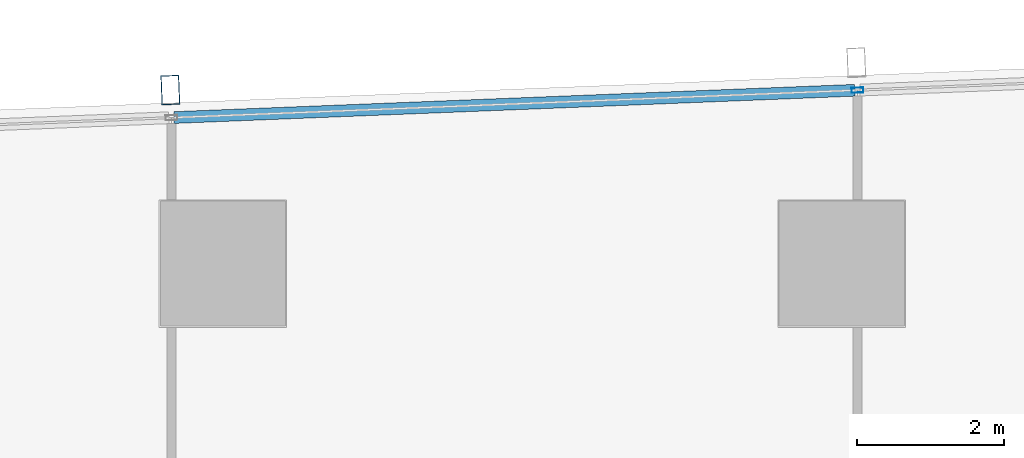
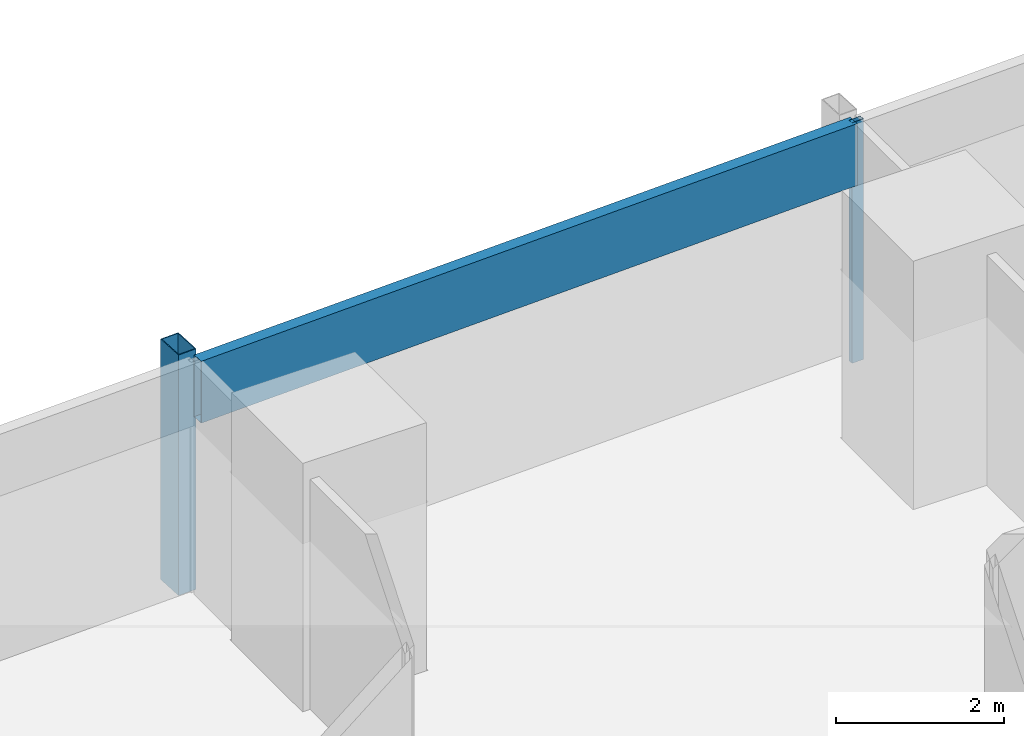
# One storey, part 16 of 40: 3 members, 1 element without a shape of its own.
"""IFC4 building model written with IfcOpenShell, lengths in metres."""

import ifcopenshell
import ifcopenshell.guid

model = None  # the IFC model being written
_history = None  # IfcOwnerHistory: only IFC2X3 demands one
_inside = {}  # id of a spatial element -> (the spatial element, [elements in it])
_under = {}  # id of a project, library or spatial element -> (it, [spatial elements below it])
_declared = {}  # id of a project -> (the project, [libraries it declares])
_typed = {}  # id of a type object -> (the type object, [elements of that type])
_made_of = {}  # id of a material, layer set ... -> (it, [elements and type objects made of it])


def new_model(schema):
    """Start an empty IFC model of exactly this schema.

    Asked for "IFC4X3", IfcOpenShell would pick the latest addendum, in which some entities
    have other attributes; the version numbers below select the first issue.
    IFC2X3 requires an IfcOwnerHistory on every rooted entity: one is made here for all.
    """
    global model, _history
    if schema == "IFC4X3":
        model = ifcopenshell.file(schema_version=(4, 3, 0, 0))
    else:
        model = ifcopenshell.file(schema=schema)
    _inside.clear()
    _under.clear()
    _declared.clear()
    _typed.clear()
    _made_of.clear()
    _history = None
    if model.schema == "IFC2X3":
        org = make("IfcOrganization", Name="unknown")
        user = make(
            "IfcPersonAndOrganization",
            ThePerson=make("IfcPerson", FamilyName="unknown"),
            TheOrganization=org,
        )
        app = make(
            "IfcApplication",
            ApplicationDeveloper=org,
            Version="unknown",
            ApplicationFullName="unknown",
            ApplicationIdentifier="unknown",
        )
        _history = make(
            "IfcOwnerHistory",
            OwningUser=user,
            OwningApplication=app,
            ChangeAction="ADDED",
            CreationDate=0,
        )
    return model


def make(cls, **values):
    """One entity of the class cls with the attributes given. An attribute that is None is left unset."""
    return model.create_entity(
        cls, **{name: value for name, value in values.items() if value is not None}
    )


def rooted(cls, **values):
    """An entity with a GlobalId (a new one), such as an element, a storey or a relation."""
    return make(cls, GlobalId=ifcopenshell.guid.new(), OwnerHistory=_history, **values)


def si_unit(unit_type, name, prefix=None):
    """IfcSIUnit, for example si_unit("LENGTHUNIT", "METRE", prefix="MILLI")."""
    return make("IfcSIUnit", UnitType=unit_type, Prefix=prefix, Name=name)


def assignment(units):
    """IfcUnitAssignment: the units of a project."""
    return None if units is None else make("IfcUnitAssignment", Units=units)


def point(xyz):
    """IfcCartesianPoint."""
    return None if xyz is None else make("IfcCartesianPoint", Coordinates=xyz)


def direction(xyz):
    """IfcDirection."""
    return None if xyz is None else make("IfcDirection", DirectionRatios=xyz)


def frame(location, z_axis=None, x_axis=None):
    """IfcAxis2Placement3D, a coordinate frame: its origin and axes. An axis left out is left unset."""
    return make(
        "IfcAxis2Placement3D",
        Location=point(location),
        Axis=direction(z_axis),
        RefDirection=direction(x_axis),
    )


def frame_2d(location, x_axis=None):
    """IfcAxis2Placement2D, a coordinate frame in the plane: its origin and x axis."""
    return make(
        "IfcAxis2Placement2D", Location=point(location), RefDirection=direction(x_axis)
    )


def origin():
    """The frame at (0, 0, 0) with its axes left unset."""
    return frame((0.0, 0.0, 0.0))


def origin_2d():
    """The frame at (0, 0) in the plane with its x axis left unset."""
    return frame_2d((0.0, 0.0))


def place(relative_to, where):
    """IfcLocalPlacement: puts the frame where relative to a parent placement (None: the world)."""
    return make(
        "IfcLocalPlacement", PlacementRelTo=relative_to, RelativePlacement=where
    )


def context(
    kind, dimensions, precision=None, world=None, true_north=None, identifier=None
):
    """IfcGeometricRepresentationContext, for example the 3D "Model" context."""
    return make(
        "IfcGeometricRepresentationContext",
        ContextIdentifier=identifier,
        ContextType=kind,
        CoordinateSpaceDimension=dimensions,
        Precision=precision,
        WorldCoordinateSystem=world,
        TrueNorth=true_north,
    )


def subcontext(parent, identifier, kind, view, scale=None):
    """IfcGeometricRepresentationSubContext, for example "Body" below "Model"."""
    return make(
        "IfcGeometricRepresentationSubContext",
        ContextIdentifier=identifier,
        ContextType=kind,
        ParentContext=parent,
        TargetScale=scale,
        TargetView=view,
    )


def project(units=None, contexts=None):
    """IfcProject with its units and contexts."""
    return rooted(
        "IfcProject",
        Name="project",
        RepresentationContexts=contexts,
        UnitsInContext=assignment(units),
    )


def spatial(cls, under=None, at=None, **own):
    """A site, building, storey or space (cls), placed at a placement, below another one or the project."""
    s = rooted(cls, ObjectPlacement=at, **own)
    if under is not None:
        _under.setdefault(under.id(), (under, []))[1].append(s)
    return s


def profile(cls, at=None, kind="AREA", **sizes):
    """A parametric profile (cls). Its sizes go by their IFC names, for example OverallWidth=200.0."""
    return make(cls, ProfileType=kind, Position=at, **sizes)


def hollow_rectangle(**sizes):
    """IfcRectangleHollowProfileDef."""
    return profile("IfcRectangleHollowProfileDef", **sizes)


def extrude(swept, where, along, depth):
    """IfcExtrudedAreaSolid: the profile swept, set in the frame where, extruded along a direction by depth."""
    return make(
        "IfcExtrudedAreaSolid",
        SweptArea=swept,
        Position=where,
        ExtrudedDirection=direction(along),
        Depth=depth,
    )


def shape(context_of_items, identifier, shape_type, items):
    """IfcShapeRepresentation: the items that make up one representation, for example the "Body"."""
    return make(
        "IfcShapeRepresentation",
        ContextOfItems=context_of_items,
        RepresentationIdentifier=identifier,
        RepresentationType=shape_type,
        Items=items,
    )


def material(Name=None, Category=None):
    """IfcMaterial."""
    return make("IfcMaterial", Name=Name, Category=Category)


def material_profile(
    of_material, cross_section, Name=None, Category=None, Priority=None
):
    """IfcMaterialProfile: a cross section and its material."""
    return make(
        "IfcMaterialProfile",
        Name=Name,
        Material=of_material,
        Profile=cross_section,
        Priority=Priority,
        Category=Category,
    )


def profile_set(profiles, Name=None, composite=None):
    """IfcMaterialProfileSet."""
    return make(
        "IfcMaterialProfileSet",
        Name=Name,
        MaterialProfiles=profiles,
        CompositeProfile=composite,
    )


def made_of(thing, what):
    """Note that an element or type object is made of a material, layer set ...; save() writes the relation."""
    if what is not None:
        _made_of.setdefault(what.id(), (what, []))[1].append(thing)
    return thing


def type_object(cls, material=None, **own):
    """A type object (cls), such as IfcWallType, which elements share."""
    return made_of(rooted(cls, **own), material)


def element(
    cls,
    number,
    at=None,
    inside=None,
    cuts=None,
    type_object=None,
    material=None,
    context=None,
    identifier="Body",
    shape_type=None,
    held_by="IfcProductDefinitionShape",
    body=None,
    shapes=None,
    **own,
):
    """One element of the class cls, such as IfcWall. Its Tag is "e" and its number.

    at: its placement. inside: the storey or other place that contains it. cuts: it is an
    opening in that element (IfcRelVoidsElement). A single representation is given by context,
    identifier, shape_type and body (its items); several are given by shapes. held_by: the class
    of the entity that holds the representations. save() writes the other relations.
    """
    e = rooted(cls, Tag="e%d" % number, ObjectPlacement=at, **own)
    if body is not None:
        shapes = [shape(context, identifier, shape_type, body)]
    if shapes is not None:
        e.Representation = make(held_by, Representations=shapes)
    if inside is not None:
        _inside.setdefault(inside.id(), (inside, []))[1].append(e)
    if cuts is not None:
        rooted(
            "IfcRelVoidsElement", RelatingBuildingElement=cuts, RelatedOpeningElement=e
        )
    if type_object is not None:
        _typed.setdefault(type_object.id(), (type_object, []))[1].append(e)
    return made_of(e, material)


def aggregate(whole, parts):
    """IfcRelAggregates: a whole, such as a stair, and the parts it consists of."""
    return rooted("IfcRelAggregates", RelatingObject=whole, RelatedObjects=parts)


def save(model, path):
    """Write the relations noted so far, then the file.

    IfcRelAggregates (storeys below a building ...), IfcRelContainedInSpatialStructure (elements
    in a storey), IfcRelDefinesByType, IfcRelAssociatesMaterial and IfcRelDeclares: one each for
    every whole, place, type object, material and project.
    """
    for whole, parts in _under.values():
        aggregate(whole, parts)
    for where, things in _inside.values():
        rooted(
            "IfcRelContainedInSpatialStructure",
            RelatedElements=things,
            RelatingStructure=where,
        )
    for kind, things in _typed.values():
        rooted("IfcRelDefinesByType", RelatedObjects=things, RelatingType=kind)
    for what, things in _made_of.values():
        rooted("IfcRelAssociatesMaterial", RelatedObjects=things, RelatingMaterial=what)
    for by, libraries in _declared.values():
        rooted("IfcRelDeclares", RelatingContext=by, RelatedDefinitions=libraries)
    model.write(path)


model = new_model("IFC4")

# Units and contexts
model_context = context("Model", 3, precision=1e-05, world=origin(), true_north=direction((0.0, 1.0)))
body_context = subcontext(model_context, "Body", "Model", "MODEL_VIEW")
ifc_project = project(units=[si_unit("LENGTHUNIT", "METRE"), si_unit("AREAUNIT", "SQUARE_METRE"), si_unit("VOLUMEUNIT", "CUBIC_METRE"), si_unit("PLANEANGLEUNIT", "RADIAN"), si_unit("MASSUNIT", "GRAM", prefix="KILO")], contexts=[model_context])

# Site, building, storey
site_placement = place(None, origin())
site = spatial("IfcSite", under=ifc_project, at=site_placement, CompositionType="ELEMENT")
building_placement = place(site_placement, origin())
building = spatial("IfcBuilding", under=site, at=building_placement, Name="Rekha Terrace Tower", CompositionType="ELEMENT")
storey_placement = place(building_placement, frame((0.0, 0.0, 136.550048828125)))
storey = spatial("IfcBuildingStorey", under=building, at=storey_placement, Name="L34", CompositionType="ELEMENT", Elevation=136.550048828125)

# Curtain wall, members
ifc_material_1 = material(Name="Aluminium framing", Category="aluminium")
curtain_wall_type = type_object("IfcCurtainWallType", Name="CW3 north unitised glazing", PredefinedType="USERDEFINED", material=ifc_material_1)
curtain_wall_placement = place(storey_placement, origin())
curtain_wall = element("IfcCurtainWall", 1, at=curtain_wall_placement, inside=storey, type_object=curtain_wall_type, Name="CW3 unitised curtain wall", ObjectType="UNITISED CURTAIN WALL", PredefinedType="USERDEFINED")
ifc_material_2 = material(Name="Steel S355 with fluorocarbon finish", Category="steel")
ifc_material_profile_1 = material_profile(ifc_material_2, hollow_rectangle(XDim=0.25, YDim=0.39990234375, WallThickness=0.012451171875, at=origin_2d()), Name="RHS400x250x12.5")
ifc_profile_set_1 = profile_set([ifc_material_profile_1], Name="Steel S355 with fluorocarbon finish")
member_type_1 = type_object("IfcMemberType", Name="BL1 facade blade RHS 400 x 250", PredefinedType="USERDEFINED", material=ifc_profile_set_1)
member_1_placement = place(storey_placement, frame((16.0869140625, 61.1552734375, 0.0), z_axis=(0.0, 0.0, 1.0), x_axis=(-0.999198382632, -0.040032388711, 0.0)))
member_1 = element("IfcMember", 2, at=member_1_placement, type_object=member_type_1, Name="Facade blade", ObjectType="FACADE BLADE", PredefinedType="USERDEFINED", context=body_context, shape_type="SweptSolid", body=[
    extrude(hollow_rectangle(XDim=0.25, YDim=0.39990234375, WallThickness=0.012451171875, at=origin_2d()), origin(), (0.0, 0.0, 1.0), 3.5),
])
ifc_material_3 = material(Name="Aluminium mullion section", Category="aluminium")
ifc_material_profile_2 = material_profile(ifc_material_3, hollow_rectangle(XDim=0.070068359375, YDim=0.159912109375, WallThickness=0.00390625, at=origin_2d()), Name="AL RHS 70x160")
ifc_profile_set_2 = profile_set([ifc_material_profile_2], Name="Aluminium mullion section")
member_type_2 = type_object("IfcMemberType", Name="CW3 mullion RHS 70 x 160", PredefinedType="MULLION", material=ifc_profile_set_2)
member_2_placement = place(storey_placement, frame((25.413818359375, 61.153564453125, 0.0), z_axis=(0.0, 0.0, 1.0), x_axis=(0.040031987119, -0.999198398721, 0.0)))
member_2 = element("IfcMember", 3, at=member_2_placement, type_object=member_type_2, Name="CW3 mullion 3", PredefinedType="MULLION", context=body_context, shape_type="SweptSolid", body=[
    extrude(hollow_rectangle(XDim=0.070068359375, YDim=0.159912109375, WallThickness=0.00390625, at=origin_2d()), origin(), (0.0, 0.0, 1.0), 3.5),
])
ifc_material_4 = material(Name="Insulated aluminium spandrel box", Category="aluminium")
ifc_material_profile_3 = material_profile(ifc_material_4, hollow_rectangle(XDim=0.159912109375, YDim=0.89990234375, WallThickness=0.0029296875, at=origin_2d()), Name="AL SPANDREL BOX 160x900")
ifc_profile_set_3 = profile_set([ifc_material_profile_3], Name="Insulated aluminium spandrel box")
member_type_3 = type_object("IfcMemberType", Name="CW3 spandrel transom 160 x 900", PredefinedType="USERDEFINED", material=ifc_profile_set_3)
member_3_placement = place(storey_placement, frame((25.37890625, 61.152099609375, 3.050048828125), z_axis=(-0.999199102424, -0.040014418831, 0.0), x_axis=(0.040014418831, -0.999199102424, 0.0)))
member_3 = element("IfcMember", 4, at=member_3_placement, type_object=member_type_3, Name="CW3 spandrel transom 3", ObjectType="TRANSOM", PredefinedType="USERDEFINED", context=body_context, shape_type="SweptSolid", body=[
    extrude(hollow_rectangle(XDim=0.159912109375, YDim=0.89990234375, WallThickness=0.0029296875, at=origin_2d()), origin(), (0.0, 0.0, 1.0), 9.24951171875),
])
aggregate(curtain_wall, [member_2, member_3, member_1])

save(model, "model.ifc")
